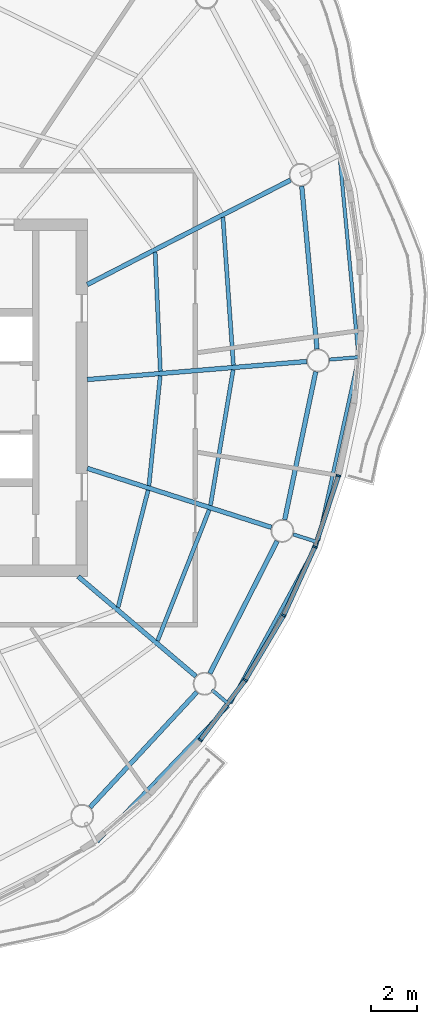
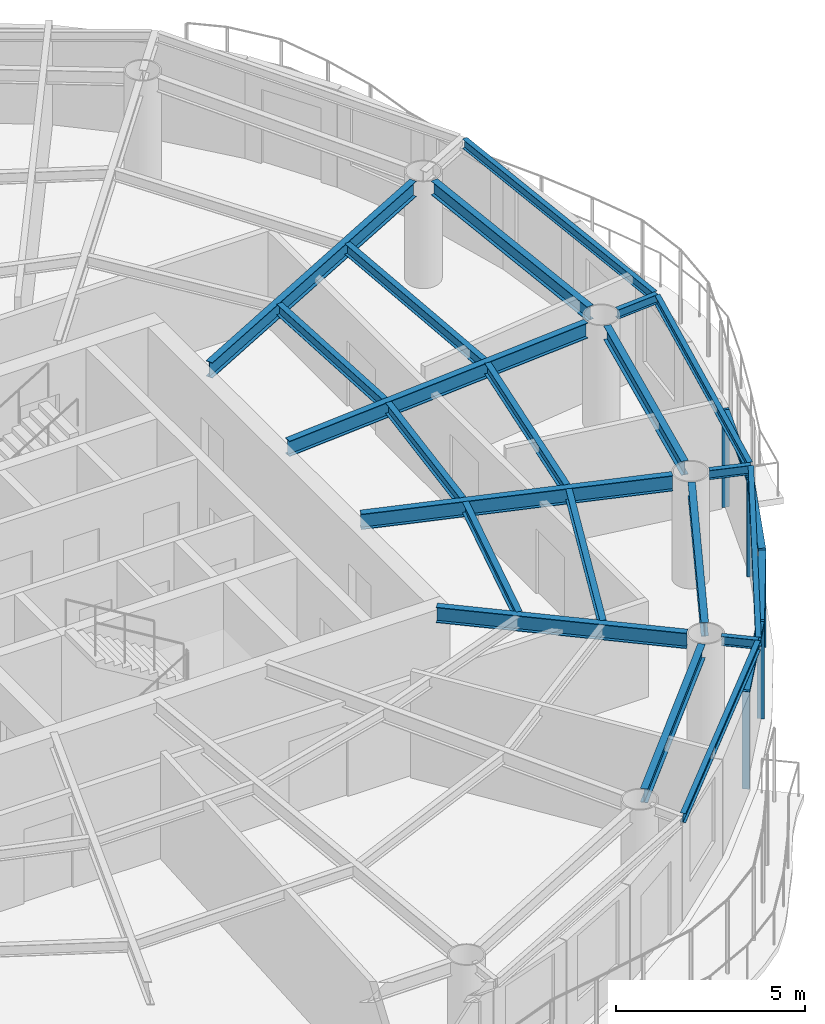
# One storey, part 4 of 13: 21 beams, 9 members, 4 elements without a shape of their own.
"""IFC4 building model written with IfcOpenShell, lengths in metres."""

import ifcopenshell
import ifcopenshell.guid

model = None  # the IFC model being written
_history = None  # IfcOwnerHistory: only IFC2X3 demands one
_inside = {}  # id of a spatial element -> (the spatial element, [elements in it])
_under = {}  # id of a project, library or spatial element -> (it, [spatial elements below it])
_declared = {}  # id of a project -> (the project, [libraries it declares])
_typed = {}  # id of a type object -> (the type object, [elements of that type])
_made_of = {}  # id of a material, layer set ... -> (it, [elements and type objects made of it])


def new_model(schema):
    """Start an empty IFC model of exactly this schema.

    Asked for "IFC4X3", IfcOpenShell would pick the latest addendum, in which some entities
    have other attributes; the version numbers below select the first issue.
    IFC2X3 requires an IfcOwnerHistory on every rooted entity: one is made here for all.
    """
    global model, _history
    if schema == "IFC4X3":
        model = ifcopenshell.file(schema_version=(4, 3, 0, 0))
    else:
        model = ifcopenshell.file(schema=schema)
    _inside.clear()
    _under.clear()
    _declared.clear()
    _typed.clear()
    _made_of.clear()
    _history = None
    if model.schema == "IFC2X3":
        org = make("IfcOrganization", Name="unknown")
        user = make(
            "IfcPersonAndOrganization",
            ThePerson=make("IfcPerson", FamilyName="unknown"),
            TheOrganization=org,
        )
        app = make(
            "IfcApplication",
            ApplicationDeveloper=org,
            Version="unknown",
            ApplicationFullName="unknown",
            ApplicationIdentifier="unknown",
        )
        _history = make(
            "IfcOwnerHistory",
            OwningUser=user,
            OwningApplication=app,
            ChangeAction="ADDED",
            CreationDate=0,
        )
    return model


def make(cls, **values):
    """One entity of the class cls with the attributes given. An attribute that is None is left unset."""
    return model.create_entity(
        cls, **{name: value for name, value in values.items() if value is not None}
    )


def rooted(cls, **values):
    """An entity with a GlobalId (a new one), such as an element, a storey or a relation."""
    return make(cls, GlobalId=ifcopenshell.guid.new(), OwnerHistory=_history, **values)


def si_unit(unit_type, name, prefix=None):
    """IfcSIUnit, for example si_unit("LENGTHUNIT", "METRE", prefix="MILLI")."""
    return make("IfcSIUnit", UnitType=unit_type, Prefix=prefix, Name=name)


def assignment(units):
    """IfcUnitAssignment: the units of a project."""
    return None if units is None else make("IfcUnitAssignment", Units=units)


def point(xyz):
    """IfcCartesianPoint."""
    return None if xyz is None else make("IfcCartesianPoint", Coordinates=xyz)


def direction(xyz):
    """IfcDirection."""
    return None if xyz is None else make("IfcDirection", DirectionRatios=xyz)


def frame(location, z_axis=None, x_axis=None):
    """IfcAxis2Placement3D, a coordinate frame: its origin and axes. An axis left out is left unset."""
    return make(
        "IfcAxis2Placement3D",
        Location=point(location),
        Axis=direction(z_axis),
        RefDirection=direction(x_axis),
    )


def frame_2d(location, x_axis=None):
    """IfcAxis2Placement2D, a coordinate frame in the plane: its origin and x axis."""
    return make(
        "IfcAxis2Placement2D", Location=point(location), RefDirection=direction(x_axis)
    )


def origin():
    """The frame at (0, 0, 0) with its axes left unset."""
    return frame((0.0, 0.0, 0.0))


def origin_2d():
    """The frame at (0, 0) in the plane with its x axis left unset."""
    return frame_2d((0.0, 0.0))


def place(relative_to, where):
    """IfcLocalPlacement: puts the frame where relative to a parent placement (None: the world)."""
    return make(
        "IfcLocalPlacement", PlacementRelTo=relative_to, RelativePlacement=where
    )


def context(
    kind, dimensions, precision=None, world=None, true_north=None, identifier=None
):
    """IfcGeometricRepresentationContext, for example the 3D "Model" context."""
    return make(
        "IfcGeometricRepresentationContext",
        ContextIdentifier=identifier,
        ContextType=kind,
        CoordinateSpaceDimension=dimensions,
        Precision=precision,
        WorldCoordinateSystem=world,
        TrueNorth=true_north,
    )


def subcontext(parent, identifier, kind, view, scale=None):
    """IfcGeometricRepresentationSubContext, for example "Body" below "Model"."""
    return make(
        "IfcGeometricRepresentationSubContext",
        ContextIdentifier=identifier,
        ContextType=kind,
        ParentContext=parent,
        TargetScale=scale,
        TargetView=view,
    )


def project(units=None, contexts=None):
    """IfcProject with its units and contexts."""
    return rooted(
        "IfcProject",
        Name="project",
        RepresentationContexts=contexts,
        UnitsInContext=assignment(units),
    )


def spatial(cls, under=None, at=None, **own):
    """A site, building, storey or space (cls), placed at a placement, below another one or the project."""
    s = rooted(cls, ObjectPlacement=at, **own)
    if under is not None:
        _under.setdefault(under.id(), (under, []))[1].append(s)
    return s


def profile(cls, at=None, kind="AREA", **sizes):
    """A parametric profile (cls). Its sizes go by their IFC names, for example OverallWidth=200.0."""
    return make(cls, ProfileType=kind, Position=at, **sizes)


def rectangle(**sizes):
    """IfcRectangleProfileDef."""
    return profile("IfcRectangleProfileDef", **sizes)


def i_section(**sizes):
    """IfcIShapeProfileDef."""
    return profile("IfcIShapeProfileDef", **sizes)


def extrude(swept, where, along, depth):
    """IfcExtrudedAreaSolid: the profile swept, set in the frame where, extruded along a direction by depth."""
    return make(
        "IfcExtrudedAreaSolid",
        SweptArea=swept,
        Position=where,
        ExtrudedDirection=direction(along),
        Depth=depth,
    )


def shape(context_of_items, identifier, shape_type, items):
    """IfcShapeRepresentation: the items that make up one representation, for example the "Body"."""
    return make(
        "IfcShapeRepresentation",
        ContextOfItems=context_of_items,
        RepresentationIdentifier=identifier,
        RepresentationType=shape_type,
        Items=items,
    )


def material(Name=None, Category=None):
    """IfcMaterial."""
    return make("IfcMaterial", Name=Name, Category=Category)


def material_profile(
    of_material, cross_section, Name=None, Category=None, Priority=None
):
    """IfcMaterialProfile: a cross section and its material."""
    return make(
        "IfcMaterialProfile",
        Name=Name,
        Material=of_material,
        Profile=cross_section,
        Priority=Priority,
        Category=Category,
    )


def profile_set(profiles, Name=None, composite=None):
    """IfcMaterialProfileSet."""
    return make(
        "IfcMaterialProfileSet",
        Name=Name,
        MaterialProfiles=profiles,
        CompositeProfile=composite,
    )


def made_of(thing, what):
    """Note that an element or type object is made of a material, layer set ...; save() writes the relation."""
    if what is not None:
        _made_of.setdefault(what.id(), (what, []))[1].append(thing)
    return thing


def type_object(cls, material=None, **own):
    """A type object (cls), such as IfcWallType, which elements share."""
    return made_of(rooted(cls, **own), material)


def element(
    cls,
    number,
    at=None,
    inside=None,
    cuts=None,
    type_object=None,
    material=None,
    context=None,
    identifier="Body",
    shape_type=None,
    held_by="IfcProductDefinitionShape",
    body=None,
    shapes=None,
    **own,
):
    """One element of the class cls, such as IfcWall. Its Tag is "e" and its number.

    at: its placement. inside: the storey or other place that contains it. cuts: it is an
    opening in that element (IfcRelVoidsElement). A single representation is given by context,
    identifier, shape_type and body (its items); several are given by shapes. held_by: the class
    of the entity that holds the representations. save() writes the other relations.
    """
    e = rooted(cls, Tag="e%d" % number, ObjectPlacement=at, **own)
    if body is not None:
        shapes = [shape(context, identifier, shape_type, body)]
    if shapes is not None:
        e.Representation = make(held_by, Representations=shapes)
    if inside is not None:
        _inside.setdefault(inside.id(), (inside, []))[1].append(e)
    if cuts is not None:
        rooted(
            "IfcRelVoidsElement", RelatingBuildingElement=cuts, RelatedOpeningElement=e
        )
    if type_object is not None:
        _typed.setdefault(type_object.id(), (type_object, []))[1].append(e)
    return made_of(e, material)


def aggregate(whole, parts):
    """IfcRelAggregates: a whole, such as a stair, and the parts it consists of."""
    return rooted("IfcRelAggregates", RelatingObject=whole, RelatedObjects=parts)


def save(model, path):
    """Write the relations noted so far, then the file.

    IfcRelAggregates (storeys below a building ...), IfcRelContainedInSpatialStructure (elements
    in a storey), IfcRelDefinesByType, IfcRelAssociatesMaterial and IfcRelDeclares: one each for
    every whole, place, type object, material and project.
    """
    for whole, parts in _under.values():
        aggregate(whole, parts)
    for where, things in _inside.values():
        rooted(
            "IfcRelContainedInSpatialStructure",
            RelatedElements=things,
            RelatingStructure=where,
        )
    for kind, things in _typed.values():
        rooted("IfcRelDefinesByType", RelatedObjects=things, RelatingType=kind)
    for what, things in _made_of.values():
        rooted("IfcRelAssociatesMaterial", RelatedObjects=things, RelatingMaterial=what)
    for by, libraries in _declared.values():
        rooted("IfcRelDeclares", RelatingContext=by, RelatedDefinitions=libraries)
    model.write(path)


model = new_model("IFC4")

# Units and contexts
model_context = context("Model", 3, precision=1e-05, world=origin(), true_north=direction((0.0, 1.0)))
body_context = subcontext(model_context, "Body", "Model", "MODEL_VIEW")
ifc_project = project(units=[si_unit("LENGTHUNIT", "METRE"), si_unit("AREAUNIT", "SQUARE_METRE"), si_unit("VOLUMEUNIT", "CUBIC_METRE"), si_unit("PLANEANGLEUNIT", "RADIAN"), si_unit("MASSUNIT", "GRAM", prefix="KILO")], contexts=[model_context])

# Site, building, storey
site_placement = place(None, origin())
site = spatial("IfcSite", under=ifc_project, at=site_placement, CompositionType="ELEMENT")
building_placement = place(site_placement, origin())
building = spatial("IfcBuilding", under=site, at=building_placement, Name="Vermilion Reach Broadcast Tower", CompositionType="ELEMENT")
storey_placement = place(building_placement, frame((0.0, 0.0, 282.89990234375)))
storey = spatial("IfcBuildingStorey", under=building, at=storey_placement, Name="L70", CompositionType="ELEMENT", Elevation=282.89990234375)

# Beams
ifc_material_1 = material(Name="Steel S355J2", Category="steel")
ifc_material_profile_1 = material_profile(ifc_material_1, i_section(OverallWidth=0.14990234375, OverallDepth=0.300048828125, WebThickness=0.006591796875, FlangeThickness=0.009033203125, at=origin_2d()), Name="S355J2 HN 300x150x6.5x9")
ifc_profile_set_1 = profile_set([ifc_material_profile_1], Name="Steel S355J2")
beam_type_1 = type_object("IfcBeamType", Name="EB5 HN 300x150x6.5x9", PredefinedType="BEAM", material=ifc_profile_set_1)
beam_1_placement = place(storey_placement, frame((4.041259765625, -19.36572265625, 3.300048828125), z_axis=(0.694205917539, 0.719776454223, 0.0), x_axis=(-0.719776454223, 0.694205917539, 0.0)))
element("IfcBeam", 1, at=beam_1_placement, inside=storey, type_object=beam_type_1, Name="Edge beam EB5-11", PredefinedType="BEAM", context=body_context, shape_type="SweptSolid", body=[
    extrude(i_section(OverallWidth=0.14990234375, OverallDepth=0.300048828125, WebThickness=0.006591796875, FlangeThickness=0.009033203125, at=origin_2d()), origin(), (0.0, 0.0, 1.0), 8.220703125),
])
beam_2_placement = place(storey_placement, frame((9.836669921875, -13.327392578125, 3.300048828125), z_axis=(0.477790738391, 0.878473682194, 0.0), x_axis=(-0.878473682194, 0.477790738391, 0.0)))
element("IfcBeam", 2, at=beam_2_placement, inside=storey, type_object=beam_type_1, Name="Edge beam EB5-12", PredefinedType="BEAM", context=body_context, shape_type="SweptSolid", body=[
    extrude(i_section(OverallWidth=0.14990234375, OverallDepth=0.300048828125, WebThickness=0.006591796875, FlangeThickness=0.009033203125, at=origin_2d()), origin(), (0.0, 0.0, 1.0), 7.91552734375),
])
beam_3_placement = place(storey_placement, frame((13.67138671875, -6.233154296875, 3.300048828125), z_axis=(0.214976608062, 0.976619198043, 0.0), x_axis=(-0.976619198043, 0.214976608062, 0.0)))
element("IfcBeam", 3, at=beam_3_placement, inside=storey, type_object=beam_type_1, Name="Edge beam EB5-13", PredefinedType="BEAM", context=body_context, shape_type="SweptSolid", body=[
    extrude(i_section(OverallWidth=0.14990234375, OverallDepth=0.300048828125, WebThickness=0.006591796875, FlangeThickness=0.009033203125, at=origin_2d()), origin(), (0.0, 0.0, 1.0), 8.112060546875),
])
beam_4_placement = place(storey_placement, frame((15.425048828125, 1.840576171875, 3.300048828125), z_axis=(-0.093864221335, 0.995585007899, 0.0), x_axis=(-0.995585007899, -0.093864221335, 0.0)))
element("IfcBeam", 4, at=beam_4_placement, inside=storey, type_object=beam_type_1, Name="Edge beam EB5-14", PredefinedType="BEAM", context=body_context, shape_type="SweptSolid", body=[
    extrude(i_section(OverallWidth=0.14990234375, OverallDepth=0.300048828125, WebThickness=0.006591796875, FlangeThickness=0.009033203125, at=origin_2d()), origin(), (0.0, 0.0, 1.0), 8.68212890625),
])
ifc_material_2 = material(Name="Steel S355J2", Category="steel")
ifc_material_profile_2 = material_profile(ifc_material_2, i_section(OverallWidth=0.199951171875, OverallDepth=0.5, WebThickness=0.010009765625, FlangeThickness=0.01611328125, at=origin_2d()), Name="S355J2 HN 500x200x10x16")
ifc_profile_set_2 = profile_set([ifc_material_profile_2], Name="Steel S355J2")
beam_type_2 = type_object("IfcBeamType", Name="G5 HN 500x200x10x16", PredefinedType="BEAM", material=ifc_profile_set_2)
beam_5_placement = place(storey_placement, frame((3.20068359375, -7.800048828125, 3.2001953125), z_axis=(0.762793125612, -0.646642596431, 0.0), x_axis=(0.646642596431, 0.762793125612, 0.0)))
element("IfcBeam", 5, at=beam_5_placement, inside=storey, type_object=beam_type_2, Name="Girder G5-12", PredefinedType="BEAM", context=body_context, shape_type="SweptSolid", body=[
    extrude(i_section(OverallWidth=0.199951171875, OverallDepth=0.5, WebThickness=0.010009765625, FlangeThickness=0.01611328125, at=origin_2d()), origin(), (0.0, 0.0, 1.0), 6.732421875),
])
beam_6_placement = place(storey_placement, frame((3.60009765625, -3.080322265625, 3.2001953125), z_axis=(0.952178453449, -0.305542456604, 0.0), x_axis=(0.305542456604, 0.952178453449, 0.0)))
element("IfcBeam", 6, at=beam_6_placement, inside=storey, type_object=beam_type_2, Name="Girder G5-13", PredefinedType="BEAM", context=body_context, shape_type="SweptSolid", body=[
    extrude(i_section(OverallWidth=0.199951171875, OverallDepth=0.5, WebThickness=0.010009765625, FlangeThickness=0.01611328125, at=origin_2d()), origin(), (0.0, 0.0, 1.0), 8.43310546875),
])
beam_7_placement = place(storey_placement, frame((3.60009765625, 0.791015625, 3.2001953125), z_axis=(0.996624410075, 0.082096195058, 0.0), x_axis=(-0.082096195058, 0.996624410075, 0.0)))
element("IfcBeam", 7, at=beam_7_placement, inside=storey, type_object=beam_type_2, Name="Girder G5-14", PredefinedType="BEAM", context=body_context, shape_type="SweptSolid", body=[
    extrude(i_section(OverallWidth=0.199951171875, OverallDepth=0.5, WebThickness=0.010009765625, FlangeThickness=0.01611328125, at=origin_2d()), origin(), (0.0, 0.0, 1.0), 9.599609375),
])
beam_8_placement = place(storey_placement, frame((3.60009765625, 4.935791015625, 3.2001953125), z_axis=(0.889332502449, 0.457261085254, 0.0), x_axis=(-0.457261085254, 0.889332502449, 0.0)))
element("IfcBeam", 8, at=beam_8_placement, inside=storey, type_object=beam_type_2, Name="Girder G5-15", PredefinedType="BEAM", context=body_context, shape_type="SweptSolid", body=[
    extrude(i_section(OverallWidth=0.199951171875, OverallDepth=0.5, WebThickness=0.010009765625, FlangeThickness=0.01611328125, at=origin_2d()), origin(), (0.0, 0.0, 1.0), 9.96337890625),
])
ifc_material_3 = material(Name="Steel S355J2", Category="steel")
ifc_material_profile_3 = material_profile(ifc_material_3, i_section(OverallWidth=0.14990234375, OverallDepth=0.300048828125, WebThickness=0.006591796875, FlangeThickness=0.009033203125, at=origin_2d()), Name="S355J2 HN 300x150x6.5x9")
ifc_profile_set_3 = profile_set([ifc_material_profile_3], Name="Steel S355J2")
beam_type_3 = type_object("IfcBeamType", Name="GS5 HN 300x150x6.5x9", PredefinedType="BEAM", material=ifc_profile_set_3)
beam_9_placement = place(storey_placement, frame((9.037353515625, -12.748046875, 3.300048828125), z_axis=(0.762709837443, -0.64674083207, 0.0), x_axis=(0.64674083207, 0.762709837443, 0.0)))
element("IfcBeam", 9, at=beam_9_placement, inside=storey, type_object=beam_type_3, Name="Cantilever stub GS5-12", PredefinedType="BEAM", context=body_context, shape_type="SweptSolid", body=[
    extrude(i_section(OverallWidth=0.14990234375, OverallDepth=0.300048828125, WebThickness=0.006591796875, FlangeThickness=0.009033203125, at=origin_2d()), origin(), (0.0, 0.0, 1.0), 1.0),
])
beam_10_placement = place(storey_placement, frame((12.58203125, -5.96240234375, 3.300048828125), z_axis=(0.952134445132, -0.305679568164, 0.0), x_axis=(0.305679568164, 0.952134445132, 0.0)))
element("IfcBeam", 10, at=beam_10_placement, inside=storey, type_object=beam_type_3, Name="Cantilever stub GS5-13", PredefinedType="BEAM", context=body_context, shape_type="SweptSolid", body=[
    extrude(i_section(OverallWidth=0.14990234375, OverallDepth=0.300048828125, WebThickness=0.006591796875, FlangeThickness=0.009033203125, at=origin_2d()), origin(), (0.0, 0.0, 1.0), 1.126953125),
])
beam_11_placement = place(storey_placement, frame((14.1640625, 1.661376953125, 3.300048828125), z_axis=(0.996622084431, 0.082124422822, 0.0), x_axis=(-0.082124422822, 0.996622084431, 0.0)))
element("IfcBeam", 11, at=beam_11_placement, inside=storey, type_object=beam_type_3, Name="Cantilever stub GS5-14", PredefinedType="BEAM", context=body_context, shape_type="SweptSolid", body=[
    extrude(i_section(OverallWidth=0.14990234375, OverallDepth=0.300048828125, WebThickness=0.006591796875, FlangeThickness=0.009033203125, at=origin_2d()), origin(), (0.0, 0.0, 1.0), 1.2724609375),
])
ifc_material_4 = material(Name="Steel S355J2", Category="steel")
ifc_material_profile_4 = material_profile(ifc_material_4, i_section(OverallWidth=0.199951171875, OverallDepth=0.449951171875, WebThickness=0.009033203125, FlangeThickness=0.013916015625, at=origin_2d()), Name="S355J2 HN 450x200x9x14")
ifc_profile_set_4 = profile_set([ifc_material_profile_4], Name="Steel S355J2")
beam_type_4 = type_object("IfcBeamType", Name="RB5 HN 450x200x9x14", PredefinedType="BEAM", material=ifc_profile_set_4)
beam_12_placement = place(storey_placement, frame((3.716796875, -17.87109375, 3.22509765625), z_axis=(0.679837550075, 0.733362738014, 0.0), x_axis=(-0.733362738014, 0.679837550075, 0.0)))
element("IfcBeam", 12, at=beam_12_placement, inside=storey, type_object=beam_type_4, Name="Ring beam RB5-11", PredefinedType="BEAM", context=body_context, shape_type="SweptSolid", body=[
    extrude(i_section(OverallWidth=0.199951171875, OverallDepth=0.449951171875, WebThickness=0.009033203125, FlangeThickness=0.013916015625, at=origin_2d()), origin(), (0.0, 0.0, 1.0), 6.85546875),
])
beam_13_placement = place(storey_placement, frame((8.944091796875, -12.03125, 3.22509765625), z_axis=(0.453052302855, 0.891483937532, 0.0), x_axis=(-0.891483937532, 0.453052302855, 0.0)))
element("IfcBeam", 13, at=beam_13_placement, inside=storey, type_object=beam_type_4, Name="Ring beam RB5-12", PredefinedType="BEAM", context=body_context, shape_type="SweptSolid", body=[
    extrude(i_section(OverallWidth=0.199951171875, OverallDepth=0.449951171875, WebThickness=0.009033203125, FlangeThickness=0.013916015625, at=origin_2d()), origin(), (0.0, 0.0, 1.0), 6.47900390625),
])
beam_14_placement = place(storey_placement, frame((12.208740234375, -5.3203125, 3.22509765625), z_axis=(0.205444869285, 0.978668690459, 0.0), x_axis=(-0.978668690459, 0.205444869285, 0.0)))
element("IfcBeam", 14, at=beam_14_placement, inside=storey, type_object=beam_type_4, Name="Ring beam RB5-13", PredefinedType="BEAM", context=body_context, shape_type="SweptSolid", body=[
    extrude(i_section(OverallWidth=0.199951171875, OverallDepth=0.449951171875, WebThickness=0.009033203125, FlangeThickness=0.013916015625, at=origin_2d()), origin(), (0.0, 0.0, 1.0), 6.591796875),
])
beam_15_placement = place(storey_placement, frame((13.618896484375, 2.1181640625, 3.22509765625), z_axis=(-0.093441399272, 0.995624781181, 0.0), x_axis=(-0.995624781181, -0.093441399272, 0.0)))
element("IfcBeam", 15, at=beam_15_placement, inside=storey, type_object=beam_type_4, Name="Ring beam RB5-14", PredefinedType="BEAM", context=body_context, shape_type="SweptSolid", body=[
    extrude(i_section(OverallWidth=0.199951171875, OverallDepth=0.449951171875, WebThickness=0.009033203125, FlangeThickness=0.013916015625, at=origin_2d()), origin(), (0.0, 0.0, 1.0), 7.135498046875),
])
ifc_material_5 = material(Name="Steel S355J2", Category="steel")
ifc_material_profile_5 = material_profile(ifc_material_5, i_section(OverallWidth=0.175048828125, OverallDepth=0.35009765625, WebThickness=0.007080078125, FlangeThickness=0.010986328125, at=origin_2d()), Name="S355J2 HN 350x175x7x11")
ifc_profile_set_5 = profile_set([ifc_material_profile_5], Name="Steel S355J2")
beam_type_5 = type_object("IfcBeamType", Name="SB5 HN 350x175x7x11", PredefinedType="BEAM", material=ifc_profile_set_5)
beam_16_placement = place(storey_placement, frame((4.940185546875, -9.1435546875, 3.275146484375), z_axis=(0.248729575729, 0.968572969971, 0.0), x_axis=(-0.968572969971, 0.248729575729, 0.0)))
element("IfcBeam", 16, at=beam_16_placement, inside=storey, type_object=beam_type_5, Name="Secondary beam SB5-12-1", PredefinedType="BEAM", context=body_context, shape_type="SweptSolid", body=[
    extrude(i_section(OverallWidth=0.175048828125, OverallDepth=0.35009765625, WebThickness=0.007080078125, FlangeThickness=0.010986328125, at=origin_2d()), origin(), (0.0, 0.0, 1.0), 5.27294921875),
])
beam_17_placement = place(storey_placement, frame((6.6630859375, -10.604248046875, 3.275146484375), z_axis=(0.366931189603, 0.930248086317, 0.0), x_axis=(-0.930248086317, 0.366931189603, 0.0)))
element("IfcBeam", 17, at=beam_17_placement, inside=storey, type_object=beam_type_5, Name="Secondary beam SB5-12-2", PredefinedType="BEAM", context=body_context, shape_type="SweptSolid", body=[
    extrude(i_section(OverallWidth=0.175048828125, OverallDepth=0.35009765625, WebThickness=0.007080078125, FlangeThickness=0.010986328125, at=origin_2d()), origin(), (0.0, 0.0, 1.0), 6.141357421875),
])
beam_18_placement = place(storey_placement, frame((6.287109375, -3.837646484375, 3.275146484375), z_axis=(0.102113775264, 0.994772726255, 0.0), x_axis=(-0.994772726255, 0.102113775264, 0.0)))
element("IfcBeam", 18, at=beam_18_placement, inside=storey, type_object=beam_type_5, Name="Secondary beam SB5-13-1", PredefinedType="BEAM", context=body_context, shape_type="SweptSolid", body=[
    extrude(i_section(OverallWidth=0.175048828125, OverallDepth=0.35009765625, WebThickness=0.007080078125, FlangeThickness=0.010986328125, at=origin_2d()), origin(), (0.0, 0.0, 1.0), 4.815185546875),
])
beam_19_placement = place(storey_placement, frame((8.969970703125, -4.698486328125, 3.275146484375), z_axis=(0.16532337011, 0.986239414795, 0.0), x_axis=(-0.986239414795, 0.16532337011, 0.0)))
element("IfcBeam", 19, at=beam_19_placement, inside=storey, type_object=beam_type_5, Name="Secondary beam SB5-13-2", PredefinedType="BEAM", context=body_context, shape_type="SweptSolid", body=[
    extrude(i_section(OverallWidth=0.175048828125, OverallDepth=0.35009765625, WebThickness=0.007080078125, FlangeThickness=0.010986328125, at=origin_2d()), origin(), (0.0, 0.0, 1.0), 5.99560546875),
])
beam_20_placement = place(storey_placement, frame((6.78466796875, 1.153564453125, 3.275146484375), z_axis=(-0.043557530017, 0.999050920413, 0.0), x_axis=(-0.999050920413, -0.043557530017, 0.0)))
element("IfcBeam", 20, at=beam_20_placement, inside=storey, type_object=beam_type_5, Name="Secondary beam SB5-14-1", PredefinedType="BEAM", context=body_context, shape_type="SweptSolid", body=[
    extrude(i_section(OverallWidth=0.175048828125, OverallDepth=0.35009765625, WebThickness=0.007080078125, FlangeThickness=0.010986328125, at=origin_2d()), origin(), (0.0, 0.0, 1.0), 5.19580078125),
])
beam_21_placement = place(storey_placement, frame((9.97119140625, 1.416259765625, 3.275146484375), z_axis=(-0.070586780458, 0.997505642302, 0.0), x_axis=(-0.997505642302, -0.070586780458, 0.0)))
element("IfcBeam", 21, at=beam_21_placement, inside=storey, type_object=beam_type_5, Name="Secondary beam SB5-14-2", PredefinedType="BEAM", context=body_context, shape_type="SweptSolid", body=[
    extrude(i_section(OverallWidth=0.175048828125, OverallDepth=0.35009765625, WebThickness=0.007080078125, FlangeThickness=0.010986328125, at=origin_2d()), origin(), (0.0, 0.0, 1.0), 6.46435546875),
])

# Curtain wall, member
ifc_material_6 = material(Name="Low-e laminated clear glass in aluminium frame", Category="aluminium")
curtain_wall_type = type_object("IfcCurtainWallType", Name="Slot curtain wall", PredefinedType="NOTDEFINED", material=ifc_material_6)
placement = place(storey_placement, origin())
curtain_wall_1 = element("IfcCurtainWall", 22, at=placement, inside=storey, type_object=curtain_wall_type, Name="Slot curtain wall L70 34", PredefinedType="NOTDEFINED")
ifc_material_7 = material(Name="Anodised aluminium", Category="aluminium")
ifc_material_profile_6 = material_profile(ifc_material_7, rectangle(XDim=0.199951171875, YDim=0.080078125, at=origin_2d()), Name="Slot mullion 80 x 200")
ifc_profile_set_6 = profile_set([ifc_material_profile_6], Name="Anodised aluminium")
member_type_1 = type_object("IfcMemberType", Name="Slot mullion 80 x 200", PredefinedType="MULLION", material=ifc_profile_set_6)
member_1_placement = place(storey_placement, frame((8.52685546875, -14.932861328125, 0.0), z_axis=(0.0, 0.0, 1.0), x_axis=(-0.766033468222, 0.642800688833, 0.0)))
member_1 = element("IfcMember", 23, at=member_1_placement, type_object=member_type_1, Name="Slot mullion L70 34", PredefinedType="MULLION", context=body_context, shape_type="SweptSolid", body=[
    extrude(rectangle(XDim=0.199951171875, YDim=0.080078125, at=origin_2d()), origin(), (0.0, 0.0, 1.0), 3.150146484375),
])

curtain_wall_2 = element("IfcCurtainWall", 24, at=placement, inside=storey, type_object=curtain_wall_type, Name="Slot curtain wall L70 35", PredefinedType="NOTDEFINED")
member_2_placement = place(storey_placement, frame((10.48583984375, -12.31982421875, 0.0), z_axis=(0.0, 0.0, 1.0), x_axis=(-0.831315158683, 0.555801319668, 0.0)))
member_2 = element("IfcMember", 25, at=member_2_placement, type_object=member_type_1, Name="Slot mullion L70 35", PredefinedType="MULLION", context=body_context, shape_type="SweptSolid", body=[
    extrude(rectangle(XDim=0.199951171875, YDim=0.080078125, at=origin_2d()), origin(), (0.0, 0.0, 1.0), 3.150146484375),
])

curtain_wall_3 = element("IfcCurtainWall", 26, at=placement, inside=storey, type_object=curtain_wall_type, Name="Slot curtain wall L70 36", PredefinedType="NOTDEFINED")
member_3_placement = place(storey_placement, frame((12.16162109375, -9.49462890625, 0.0), z_axis=(0.0, 0.0, 1.0), x_axis=(-0.886203537289, 0.463296115348, 0.0)))
member_3 = element("IfcMember", 27, at=member_3_placement, type_object=member_type_1, Name="Slot mullion L70 36", PredefinedType="MULLION", context=body_context, shape_type="SweptSolid", body=[
    extrude(rectangle(XDim=0.199951171875, YDim=0.080078125, at=origin_2d()), origin(), (0.0, 0.0, 1.0), 3.150146484375),
])

# Curtain wall, members
curtain_wall_4 = element("IfcCurtainWall", 28, at=placement, inside=storey, type_object=curtain_wall_type, Name="Slot curtain wall L70 37", PredefinedType="NOTDEFINED")
member_4_placement = place(storey_placement, frame((13.525146484375, -6.50634765625, 0.0), z_axis=(0.0, 0.0, 1.0), x_axis=(-0.930838620276, 0.365430517338, 0.0)))
member_4 = element("IfcMember", 29, at=member_4_placement, type_object=member_type_1, Name="Slot mullion L70 37", PredefinedType="MULLION", context=body_context, shape_type="SweptSolid", body=[
    extrude(rectangle(XDim=0.199951171875, YDim=0.080078125, at=origin_2d()), origin(), (0.0, 0.0, 1.0), 3.150146484375),
])
member_5_placement = place(storey_placement, frame((14.552978515625, -3.406494140625, 0.0), z_axis=(0.0, 0.0, 1.0), x_axis=(-0.965021001845, 0.262172588191, 0.0)))
member_5 = element("IfcMember", 30, at=member_5_placement, type_object=member_type_1, Name="Slot mullion L70 38", PredefinedType="MULLION", context=body_context, shape_type="SweptSolid", body=[
    extrude(rectangle(XDim=0.199951171875, YDim=0.080078125, at=origin_2d()), origin(), (0.0, 0.0, 1.0), 3.150146484375),
])

# Member
ifc_material_8 = material(Name="Anodised aluminium", Category="aluminium")
ifc_material_profile_7 = material_profile(ifc_material_8, rectangle(XDim=0.199951171875, YDim=0.10009765625, at=origin_2d()), Name="Slot transom 200 x 100")
ifc_profile_set_7 = profile_set([ifc_material_profile_7], Name="Anodised aluminium")
member_type_2 = type_object("IfcMemberType", Name="Slot transom 200 x 100", PredefinedType="USERDEFINED", material=ifc_profile_set_7)
member_6_placement = place(storey_placement, frame((8.551025390625, -14.90087890625, 3.10009765625), z_axis=(0.599816062009, 0.800137920459, 0.0), x_axis=(-0.800137920459, 0.599816062009, 0.0)))
member_6 = element("IfcMember", 31, at=member_6_placement, type_object=member_type_2, Name="Slot transom L70 34.1", ObjectType="TRANSOM", PredefinedType="USERDEFINED", context=body_context, shape_type="SweptSolid", body=[
    extrude(rectangle(XDim=0.199951171875, YDim=0.10009765625, at=origin_2d()), origin(), (0.0, 0.0, 1.0), 3.185791015625),
])

aggregate(curtain_wall_1, [member_1, member_6])

member_7_placement = place(storey_placement, frame((10.50634765625, -12.285400390625, 3.10009765625), z_axis=(0.510119770884, 0.860103377132, 0.0), x_axis=(-0.860103377132, 0.510119770884, 0.0)))
member_7 = element("IfcMember", 32, at=member_7_placement, type_object=member_type_2, Name="Slot transom L70 35.1", ObjectType="TRANSOM", PredefinedType="USERDEFINED", context=body_context, shape_type="SweptSolid", body=[
    extrude(rectangle(XDim=0.199951171875, YDim=0.10009765625, at=origin_2d()), origin(), (0.0, 0.0, 1.0), 3.20458984375),
])

aggregate(curtain_wall_2, [member_2, member_7])

member_8_placement = place(storey_placement, frame((12.17822265625, -9.458251953125, 3.10009765625), z_axis=(0.415116917186, 0.909768072129, 0.0), x_axis=(-0.909768072129, 0.415116917186, 0.0)))
member_8 = element("IfcMember", 33, at=member_8_placement, type_object=member_type_2, Name="Slot transom L70 36.1", ObjectType="TRANSOM", PredefinedType="USERDEFINED", context=body_context, shape_type="SweptSolid", body=[
    extrude(rectangle(XDim=0.199951171875, YDim=0.10009765625, at=origin_2d()), origin(), (0.0, 0.0, 1.0), 3.20458984375),
])

aggregate(curtain_wall_3, [member_3, member_8])

member_9_placement = place(storey_placement, frame((13.53759765625, -6.46826171875, 3.10009765625), z_axis=(0.314733024065, 0.949180237659, 0.0), x_axis=(-0.949180237659, 0.314733024065, 0.0)))
member_9 = element("IfcMember", 34, at=member_9_placement, type_object=member_type_2, Name="Slot transom L70 37.1", ObjectType="TRANSOM", PredefinedType="USERDEFINED", context=body_context, shape_type="SweptSolid", body=[
    extrude(rectangle(XDim=0.199951171875, YDim=0.10009765625, at=origin_2d()), origin(), (0.0, 0.0, 1.0), 3.185791015625),
])

aggregate(curtain_wall_4, [member_4, member_5, member_9])

save(model, "model.ifc")
